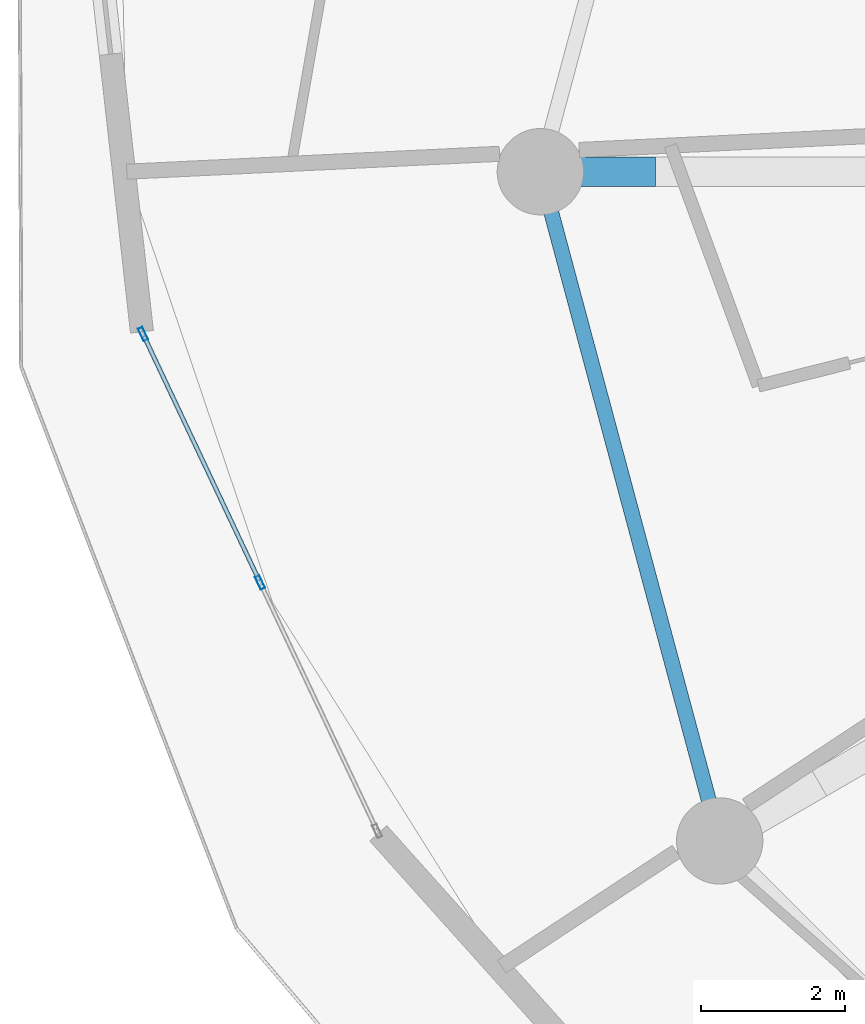
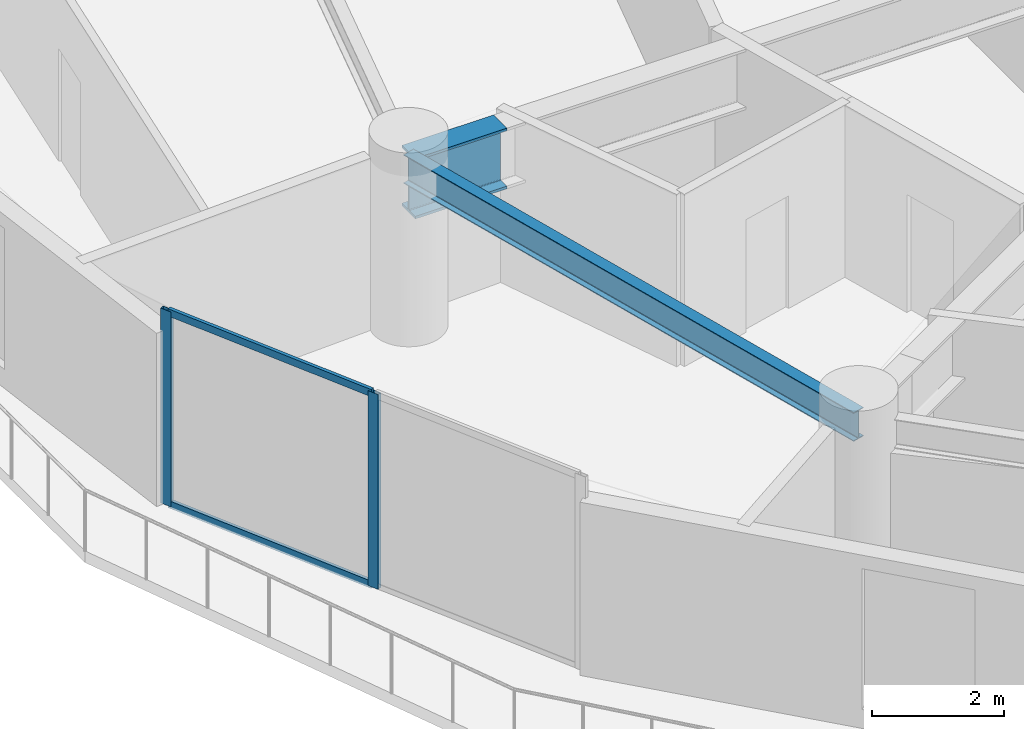
# One storey, part 4 of 24: 4 members, 2 beams, 1 element without a shape of its own.
"""IFC4 building model written with IfcOpenShell, lengths in metres."""

import ifcopenshell
import ifcopenshell.guid

model = None  # the IFC model being written
_history = None  # IfcOwnerHistory: only IFC2X3 demands one
_inside = {}  # id of a spatial element -> (the spatial element, [elements in it])
_under = {}  # id of a project, library or spatial element -> (it, [spatial elements below it])
_declared = {}  # id of a project -> (the project, [libraries it declares])
_typed = {}  # id of a type object -> (the type object, [elements of that type])
_made_of = {}  # id of a material, layer set ... -> (it, [elements and type objects made of it])


def new_model(schema):
    """Start an empty IFC model of exactly this schema.

    Asked for "IFC4X3", IfcOpenShell would pick the latest addendum, in which some entities
    have other attributes; the version numbers below select the first issue.
    IFC2X3 requires an IfcOwnerHistory on every rooted entity: one is made here for all.
    """
    global model, _history
    if schema == "IFC4X3":
        model = ifcopenshell.file(schema_version=(4, 3, 0, 0))
    else:
        model = ifcopenshell.file(schema=schema)
    _inside.clear()
    _under.clear()
    _declared.clear()
    _typed.clear()
    _made_of.clear()
    _history = None
    if model.schema == "IFC2X3":
        org = make("IfcOrganization", Name="unknown")
        user = make(
            "IfcPersonAndOrganization",
            ThePerson=make("IfcPerson", FamilyName="unknown"),
            TheOrganization=org,
        )
        app = make(
            "IfcApplication",
            ApplicationDeveloper=org,
            Version="unknown",
            ApplicationFullName="unknown",
            ApplicationIdentifier="unknown",
        )
        _history = make(
            "IfcOwnerHistory",
            OwningUser=user,
            OwningApplication=app,
            ChangeAction="ADDED",
            CreationDate=0,
        )
    return model


def make(cls, **values):
    """One entity of the class cls with the attributes given. An attribute that is None is left unset."""
    return model.create_entity(
        cls, **{name: value for name, value in values.items() if value is not None}
    )


def rooted(cls, **values):
    """An entity with a GlobalId (a new one), such as an element, a storey or a relation."""
    return make(cls, GlobalId=ifcopenshell.guid.new(), OwnerHistory=_history, **values)


def si_unit(unit_type, name, prefix=None):
    """IfcSIUnit, for example si_unit("LENGTHUNIT", "METRE", prefix="MILLI")."""
    return make("IfcSIUnit", UnitType=unit_type, Prefix=prefix, Name=name)


def assignment(units):
    """IfcUnitAssignment: the units of a project."""
    return None if units is None else make("IfcUnitAssignment", Units=units)


def point(xyz):
    """IfcCartesianPoint."""
    return None if xyz is None else make("IfcCartesianPoint", Coordinates=xyz)


def direction(xyz):
    """IfcDirection."""
    return None if xyz is None else make("IfcDirection", DirectionRatios=xyz)


def frame(location, z_axis=None, x_axis=None):
    """IfcAxis2Placement3D, a coordinate frame: its origin and axes. An axis left out is left unset."""
    return make(
        "IfcAxis2Placement3D",
        Location=point(location),
        Axis=direction(z_axis),
        RefDirection=direction(x_axis),
    )


def frame_2d(location, x_axis=None):
    """IfcAxis2Placement2D, a coordinate frame in the plane: its origin and x axis."""
    return make(
        "IfcAxis2Placement2D", Location=point(location), RefDirection=direction(x_axis)
    )


def origin():
    """The frame at (0, 0, 0) with its axes left unset."""
    return frame((0.0, 0.0, 0.0))


def origin_2d():
    """The frame at (0, 0) in the plane with its x axis left unset."""
    return frame_2d((0.0, 0.0))


def place(relative_to, where):
    """IfcLocalPlacement: puts the frame where relative to a parent placement (None: the world)."""
    return make(
        "IfcLocalPlacement", PlacementRelTo=relative_to, RelativePlacement=where
    )


def context(
    kind, dimensions, precision=None, world=None, true_north=None, identifier=None
):
    """IfcGeometricRepresentationContext, for example the 3D "Model" context."""
    return make(
        "IfcGeometricRepresentationContext",
        ContextIdentifier=identifier,
        ContextType=kind,
        CoordinateSpaceDimension=dimensions,
        Precision=precision,
        WorldCoordinateSystem=world,
        TrueNorth=true_north,
    )


def subcontext(parent, identifier, kind, view, scale=None):
    """IfcGeometricRepresentationSubContext, for example "Body" below "Model"."""
    return make(
        "IfcGeometricRepresentationSubContext",
        ContextIdentifier=identifier,
        ContextType=kind,
        ParentContext=parent,
        TargetScale=scale,
        TargetView=view,
    )


def project(units=None, contexts=None):
    """IfcProject with its units and contexts."""
    return rooted(
        "IfcProject",
        Name="project",
        RepresentationContexts=contexts,
        UnitsInContext=assignment(units),
    )


def spatial(cls, under=None, at=None, **own):
    """A site, building, storey or space (cls), placed at a placement, below another one or the project."""
    s = rooted(cls, ObjectPlacement=at, **own)
    if under is not None:
        _under.setdefault(under.id(), (under, []))[1].append(s)
    return s


def profile(cls, at=None, kind="AREA", **sizes):
    """A parametric profile (cls). Its sizes go by their IFC names, for example OverallWidth=200.0."""
    return make(cls, ProfileType=kind, Position=at, **sizes)


def hollow_rectangle(**sizes):
    """IfcRectangleHollowProfileDef."""
    return profile("IfcRectangleHollowProfileDef", **sizes)


def i_section(**sizes):
    """IfcIShapeProfileDef."""
    return profile("IfcIShapeProfileDef", **sizes)


def extrude(swept, where, along, depth):
    """IfcExtrudedAreaSolid: the profile swept, set in the frame where, extruded along a direction by depth."""
    return make(
        "IfcExtrudedAreaSolid",
        SweptArea=swept,
        Position=where,
        ExtrudedDirection=direction(along),
        Depth=depth,
    )


def shape(context_of_items, identifier, shape_type, items):
    """IfcShapeRepresentation: the items that make up one representation, for example the "Body"."""
    return make(
        "IfcShapeRepresentation",
        ContextOfItems=context_of_items,
        RepresentationIdentifier=identifier,
        RepresentationType=shape_type,
        Items=items,
    )


def source(mapping_origin, context_of_items, identifier, shape_type, items):
    """IfcRepresentationMap: a shape defined once, which mapped items show again and again."""
    return make(
        "IfcRepresentationMap",
        MappingOrigin=mapping_origin,
        MappedRepresentation=shape(context_of_items, identifier, shape_type, items),
    )


def transform(
    local_origin,
    x_axis=None,
    y_axis=None,
    z_axis=None,
    scale=None,
    scale2=None,
    scale3=None,
    uniform=True,
):
    """IfcCartesianTransformationOperator3D, or its non-uniform kind. x_axis, y_axis, z_axis: its Axis1, 2, 3."""
    if uniform:
        return make(
            "IfcCartesianTransformationOperator3D",
            Axis1=direction(x_axis),
            Axis2=direction(y_axis),
            LocalOrigin=point(local_origin),
            Scale=scale,
            Axis3=direction(z_axis),
        )
    return make(
        "IfcCartesianTransformationOperator3DnonUniform",
        Axis1=direction(x_axis),
        Axis2=direction(y_axis),
        LocalOrigin=point(local_origin),
        Scale=scale,
        Axis3=direction(z_axis),
        Scale2=scale2,
        Scale3=scale3,
    )


def mapped(mapping_source, mapping_target):
    """IfcMappedItem: shows the shape of a source again, moved by a transform."""
    return make(
        "IfcMappedItem", MappingSource=mapping_source, MappingTarget=mapping_target
    )


def material(Name=None, Category=None):
    """IfcMaterial."""
    return make("IfcMaterial", Name=Name, Category=Category)


def layer(
    of_material, thickness, ventilated=None, Name=None, Category=None, Priority=None
):
    """IfcMaterialLayer: one layer of a wall or slab, of a material (None: an air gap)."""
    return make(
        "IfcMaterialLayer",
        Material=of_material,
        LayerThickness=thickness,
        IsVentilated=ventilated,
        Name=Name,
        Category=Category,
        Priority=Priority,
    )


def layer_set(layers, Name=None):
    """IfcMaterialLayerSet."""
    return make("IfcMaterialLayerSet", MaterialLayers=layers, LayerSetName=Name)


def material_profile(
    of_material, cross_section, Name=None, Category=None, Priority=None
):
    """IfcMaterialProfile: a cross section and its material."""
    return make(
        "IfcMaterialProfile",
        Name=Name,
        Material=of_material,
        Profile=cross_section,
        Priority=Priority,
        Category=Category,
    )


def profile_set(profiles, Name=None, composite=None):
    """IfcMaterialProfileSet."""
    return make(
        "IfcMaterialProfileSet",
        Name=Name,
        MaterialProfiles=profiles,
        CompositeProfile=composite,
    )


def made_of(thing, what):
    """Note that an element or type object is made of a material, layer set ...; save() writes the relation."""
    if what is not None:
        _made_of.setdefault(what.id(), (what, []))[1].append(thing)
    return thing


def type_object(cls, material=None, **own):
    """A type object (cls), such as IfcWallType, which elements share."""
    return made_of(rooted(cls, **own), material)


def element(
    cls,
    number,
    at=None,
    inside=None,
    cuts=None,
    type_object=None,
    material=None,
    context=None,
    identifier="Body",
    shape_type=None,
    held_by="IfcProductDefinitionShape",
    body=None,
    shapes=None,
    **own,
):
    """One element of the class cls, such as IfcWall. Its Tag is "e" and its number.

    at: its placement. inside: the storey or other place that contains it. cuts: it is an
    opening in that element (IfcRelVoidsElement). A single representation is given by context,
    identifier, shape_type and body (its items); several are given by shapes. held_by: the class
    of the entity that holds the representations. save() writes the other relations.
    """
    e = rooted(cls, Tag="e%d" % number, ObjectPlacement=at, **own)
    if body is not None:
        shapes = [shape(context, identifier, shape_type, body)]
    if shapes is not None:
        e.Representation = make(held_by, Representations=shapes)
    if inside is not None:
        _inside.setdefault(inside.id(), (inside, []))[1].append(e)
    if cuts is not None:
        rooted(
            "IfcRelVoidsElement", RelatingBuildingElement=cuts, RelatedOpeningElement=e
        )
    if type_object is not None:
        _typed.setdefault(type_object.id(), (type_object, []))[1].append(e)
    return made_of(e, material)


def aggregate(whole, parts):
    """IfcRelAggregates: a whole, such as a stair, and the parts it consists of."""
    return rooted("IfcRelAggregates", RelatingObject=whole, RelatedObjects=parts)


def save(model, path):
    """Write the relations noted so far, then the file.

    IfcRelAggregates (storeys below a building ...), IfcRelContainedInSpatialStructure (elements
    in a storey), IfcRelDefinesByType, IfcRelAssociatesMaterial and IfcRelDeclares: one each for
    every whole, place, type object, material and project.
    """
    for whole, parts in _under.values():
        aggregate(whole, parts)
    for where, things in _inside.values():
        rooted(
            "IfcRelContainedInSpatialStructure",
            RelatedElements=things,
            RelatingStructure=where,
        )
    for kind, things in _typed.values():
        rooted("IfcRelDefinesByType", RelatedObjects=things, RelatingType=kind)
    for what, things in _made_of.values():
        rooted("IfcRelAssociatesMaterial", RelatedObjects=things, RelatingMaterial=what)
    for by, libraries in _declared.values():
        rooted("IfcRelDeclares", RelatingContext=by, RelatedDefinitions=libraries)
    model.write(path)


model = new_model("IFC4")

# Units and contexts
model_context = context("Model", 3, precision=1e-05, world=origin(), true_north=direction((0.0, 1.0)))
body_context = subcontext(model_context, "Body", "Model", "MODEL_VIEW")
ifc_project = project(units=[si_unit("LENGTHUNIT", "METRE"), si_unit("AREAUNIT", "SQUARE_METRE"), si_unit("VOLUMEUNIT", "CUBIC_METRE"), si_unit("PLANEANGLEUNIT", "RADIAN"), si_unit("MASSUNIT", "GRAM", prefix="KILO")], contexts=[model_context])

# Site, building, storey
site_placement = place(None, origin())
site = spatial("IfcSite", under=ifc_project, at=site_placement, CompositionType="ELEMENT")
building_placement = place(site_placement, origin())
building = spatial("IfcBuilding", under=site, at=building_placement, Name="Solvirekh Grand Hotel", CompositionType="ELEMENT")
storey_placement = place(building_placement, frame((0.0, 0.0, 89.60009765625)))
storey = spatial("IfcBuildingStorey", under=building, at=storey_placement, Name="L22", CompositionType="ELEMENT", Elevation=89.60009765625)

# Beams
ifc_material_1 = material(Name="Steel S355", Category="steel")
ifc_material_profile_1 = material_profile(ifc_material_1, i_section(OverallWidth=0.208984375, OverallDepth=0.532958984375, WebThickness=0.010009765625, FlangeThickness=0.014892578125, FilletRadius=0.013916015625, at=origin_2d()), Name="W530X92")
ifc_profile_set_1 = profile_set([ifc_material_profile_1], Name="Steel S355")
beam_type_1 = type_object("IfcBeamType", Name="Spandrel_Ring_W530", PredefinedType="SPANDREL", material=ifc_profile_set_1)
beam_1_placement = place(storey_placement, frame((-18.60009765625, 0.0, 2.933837890625), z_axis=(0.258842973314, -0.965919414426, 0.0), x_axis=(0.965919414426, 0.258842973314, 0.0)))
element("IfcBeam", 1, at=beam_1_placement, inside=storey, type_object=beam_type_1, Name="L22 perimeter spandrel beam 7", PredefinedType="SPANDREL", context=body_context, shape_type="SweptSolid", body=[
    extrude(i_section(OverallWidth=0.208984375, OverallDepth=0.532958984375, WebThickness=0.010009765625, FlangeThickness=0.014892578125, FilletRadius=0.013916015625, at=origin_2d()), origin(), (0.0, 0.0, 1.0), 9.628173828125),
])
ifc_material_2 = material(Name="Steel S460", Category="steel")
ifc_material_profile_2 = material_profile(ifc_material_2, i_section(OverallWidth=0.405029296875, OverallDepth=1.117919921875, WebThickness=0.02587890625, FlangeThickness=0.048095703125, FilletRadius=0.02392578125, at=origin_2d()), Name="W1100X499")
ifc_profile_set_2 = profile_set([ifc_material_profile_2], Name="Steel S460")
beam_type_2 = type_object("IfcBeamType", Name="TransferGirder_W1100", PredefinedType="USERDEFINED", material=ifc_profile_set_2)
beam_2_placement = place(storey_placement, frame((-17.0, 0.0, 2.640869140625), z_axis=(-1.0, 0.0, 0.0), x_axis=(0.0, -1.0, 0.0)))
element("IfcBeam", 2, at=beam_2_placement, inside=storey, type_object=beam_type_2, Name="L22 outer radial transfer girder 7B", ObjectType="TRANSFER GIRDER", PredefinedType="USERDEFINED", context=body_context, shape_type="SweptSolid", body=[
    extrude(i_section(OverallWidth=0.405029296875, OverallDepth=1.117919921875, WebThickness=0.02587890625, FlangeThickness=0.048095703125, FilletRadius=0.02392578125, at=origin_2d()), origin(), (0.0, 0.0, 1.0), 1.60009765625),
])

# Curtain wall, members
ifc_material_3 = material(Name="Anodized Bronze Aluminium 6063-T6", Category="aluminium")
ifc_layer = layer(ifc_material_3, 0.18994140625)
ifc_layer_set = layer_set([ifc_layer], Name="Anodized Bronze Aluminium 6063-T6")
curtain_wall_type = type_object("IfcCurtainWallType", Name="CW_Sys2_LowZoneFlushBronzeCW", PredefinedType="NOTDEFINED", material=ifc_layer_set)
curtain_wall_placement = place(storey_placement, origin())
curtain_wall = element("IfcCurtainWall", 3, at=curtain_wall_placement, inside=storey, type_object=curtain_wall_type, Name="L22 unitised bronze-glass curtain wall CW-L22-C13", PredefinedType="NOTDEFINED")
ifc_material_profile_3 = material_profile(ifc_material_3, hollow_rectangle(XDim=0.06005859375, YDim=0.135009765625, WallThickness=0.00390625, at=origin_2d()), Name="ALU RHS 135X60X4")
ifc_profile_set_3 = profile_set([ifc_material_profile_3], Name="Anodized Bronze Aluminium 6063-T6")
member_type_1 = type_object("IfcMemberType", Name="CWTransom_Sys2", PredefinedType="USERDEFINED", material=ifc_profile_set_3)
shared_shape_1 = source(origin(), body_context, "Body", "SweptSolid", [
    extrude(hollow_rectangle(XDim=0.06005859375, YDim=0.135009765625, WallThickness=0.00390625, at=origin_2d()), origin(), (0.0, 0.0, 1.0), 3.747314453125),
])
member_1_placement = place(storey_placement, frame((-24.107177734375, -2.287353515625, 0.02978515625), z_axis=(0.426217426151, -0.904620752385, 0.0), x_axis=(0.904620752385, 0.426217426151, 0.0)))
member_1 = element("IfcMember", 4, at=member_1_placement, type_object=member_type_1, Name="U02 transom 1.1", ObjectType="TRANSOM", PredefinedType="USERDEFINED", context=body_context, shape_type="MappedRepresentation", body=[
    mapped(shared_shape_1, transform((0.0, 0.0, 0.0), x_axis=(1.0, 0.0, 0.0), y_axis=(0.0, 1.0, 0.0), z_axis=(0.0, 0.0, 1.0), scale=1.0)),
])
member_2_placement = place(storey_placement, frame((-24.107177734375, -2.287353515625, 3.56982421875), z_axis=(0.426217426151, -0.904620752385, 0.0), x_axis=(0.904620752385, 0.426217426151, 0.0)))
member_2 = element("IfcMember", 5, at=member_2_placement, type_object=member_type_1, Name="U02 transom 1.2", ObjectType="TRANSOM", PredefinedType="USERDEFINED", context=body_context, shape_type="MappedRepresentation", body=[
    mapped(shared_shape_1, transform((0.0, 0.0, 0.0), x_axis=(1.0, 0.0, 0.0), y_axis=(0.0, 1.0, 0.0), z_axis=(0.0, 0.0, 1.0), scale=1.0)),
])
ifc_material_profile_4 = material_profile(ifc_material_3, hollow_rectangle(XDim=0.070068359375, YDim=0.18994140625, WallThickness=0.0048828125, at=origin_2d()), Name="ALU RHS 190X70X5")
ifc_profile_set_4 = profile_set([ifc_material_profile_4], Name="Anodized Bronze Aluminium 6063-T6")
member_type_2 = type_object("IfcMemberType", Name="CWMullion_Sys2", PredefinedType="MULLION", material=ifc_profile_set_4)
shared_shape_2 = source(origin(), body_context, "Body", "SweptSolid", [
    extrude(hollow_rectangle(XDim=0.070068359375, YDim=0.18994140625, WallThickness=0.0048828125, at=origin_2d()), origin(), (0.0, 0.0, 1.0), 3.599853515625),
])
member_3_placement = place(storey_placement, frame((-24.1220703125, -2.255615234375, 0.0), z_axis=(0.0, 0.0, 1.0), x_axis=(0.904618589977, 0.426222015702, 0.0)))
member_3 = element("IfcMember", 6, at=member_3_placement, type_object=member_type_2, Name="U02 mullion 1", PredefinedType="MULLION", context=body_context, shape_type="MappedRepresentation", body=[
    mapped(shared_shape_2, transform((0.0, 0.0, 0.0), x_axis=(1.0, 0.0, 0.0), y_axis=(0.0, 1.0, 0.0), z_axis=(0.0, 0.0, 1.0), scale=1.0)),
])
member_4_placement = place(storey_placement, frame((-22.4951171875, -5.708984375, 0.0), z_axis=(0.0, 0.0, 1.0), x_axis=(0.904618589977, 0.426222015702, 0.0)))
member_4 = element("IfcMember", 7, at=member_4_placement, type_object=member_type_2, Name="U02 mullion 2", PredefinedType="MULLION", context=body_context, shape_type="MappedRepresentation", body=[
    mapped(shared_shape_2, transform((0.0, 0.0, 0.0), x_axis=(1.0, 0.0, 0.0), y_axis=(0.0, 1.0, 0.0), z_axis=(0.0, 0.0, 1.0), scale=1.0)),
])
aggregate(curtain_wall, [member_3, member_4, member_1, member_2])

save(model, "model.ifc")
